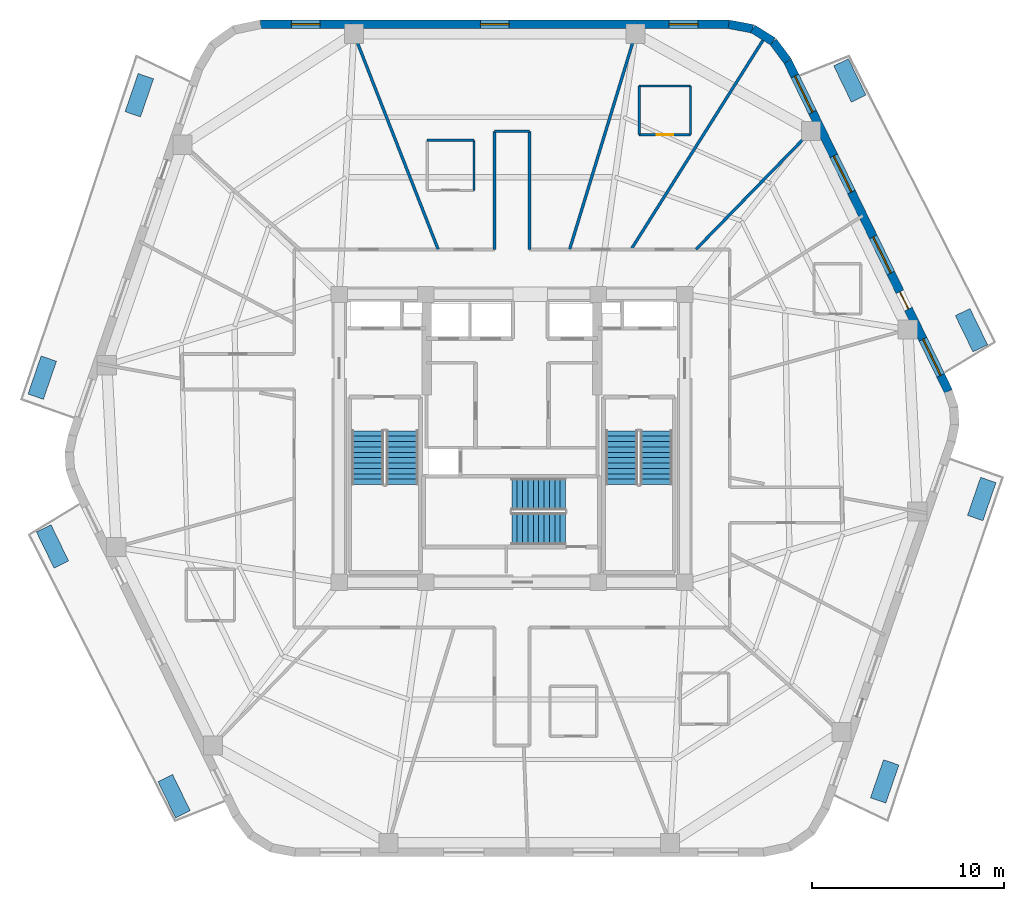
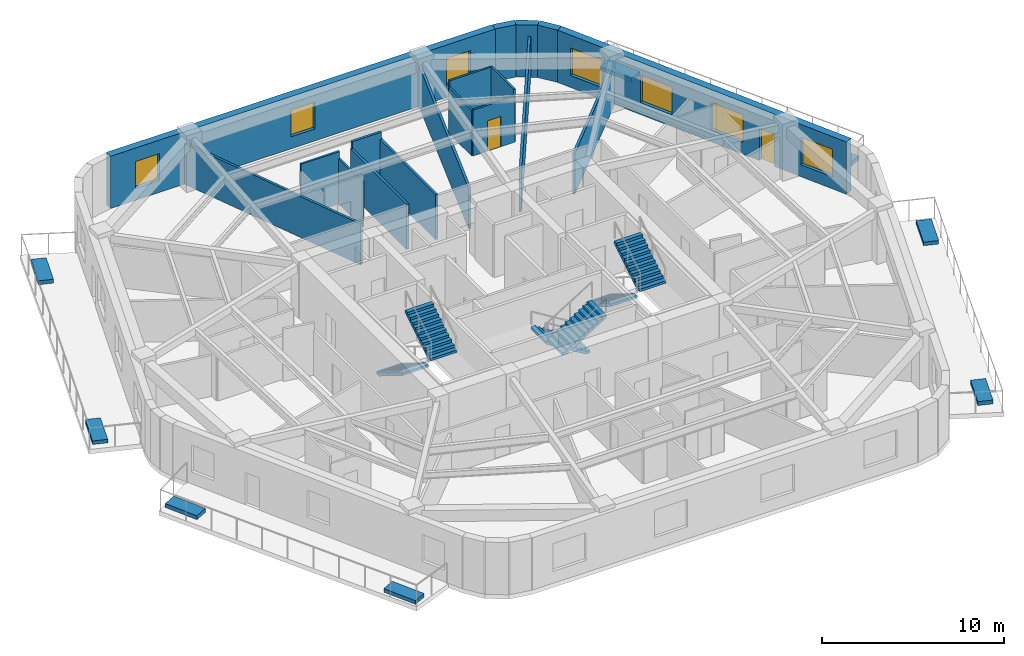
# One storey, part 6 of 9: 18 walls, 8 discrete accessories, 7 windows, 6 stair flights, 2 doors, 9 openings, 3 elements without a shape of their own.
"""IFC4 building model written with IfcOpenShell, lengths in metres."""

from ifc_helpers import new_model, si_unit, direction, frame, frame_2d, origin, origin_2d, place, context, subcontext, project, spatial, polyline, rectangle, outline, extrude, material, layer, layer_set, type_object, element, fill, aggregate, save


model = new_model("IFC4")

# Units and contexts
model_context = context("Model", 3, precision=1e-05, world=origin(), true_north=direction((0.0, 1.0)))
body_context = subcontext(model_context, "Body", "Model", "MODEL_VIEW")
ifc_project = project(units=[si_unit("LENGTHUNIT", "METRE"), si_unit("AREAUNIT", "SQUARE_METRE"), si_unit("VOLUMEUNIT", "CUBIC_METRE"), si_unit("PLANEANGLEUNIT", "RADIAN"), si_unit("MASSUNIT", "GRAM", prefix="KILO")], contexts=[model_context])

# Site, building, storey
site_placement = place(None, origin())
site = spatial("IfcSite", under=ifc_project, at=site_placement, CompositionType="ELEMENT")
building_placement = place(site_placement, origin())
building = spatial("IfcBuilding", under=site, at=building_placement, Name="Kilnhurst Terrace Hotel", CompositionType="ELEMENT")
storey_placement = place(building_placement, frame((0.0, 0.0, 236.89990234375)))
storey = spatial("IfcBuildingStorey", under=building, at=storey_placement, Name="L59", CompositionType="ELEMENT", Elevation=236.89990234375)

# Walls
ifc_material_1 = material(Name="Precast concrete C40/50", Category="concrete")
ifc_layer_1 = layer(ifc_material_1, 0.449951171875, Name="Precast concrete C40/50")
ifc_layer_set_1 = layer_set([ifc_layer_1], Name="Precast concrete C40/50")
wall_type_1 = type_object("IfcWallType", Name="WL-BRK-450", PredefinedType="SOLIDWALL", material=ifc_layer_set_1)
wall_1_placement = place(storey_placement, frame((14.3623046875, 19.658447265625, 0.0), z_axis=(0.0, 0.0, 1.0), x_axis=(-0.596642462792, 0.80250717853, 0.0)))
element("IfcWall", 1, at=wall_1_placement, inside=storey, type_object=wall_type_1, Name="L59 Rounded Corner Brick Wall C4.1", PredefinedType="SOLIDWALL", context=body_context, shape_type="SweptSolid", body=[
    extrude(rectangle(XDim=1.27001953125, YDim=0.449951171875, at=frame_2d((0.635009765625, 0.0))), origin(), (0.0, 0.0, 1.0), 3.5),
])
wall_2_placement = place(storey_placement, frame((13.6044921875, 20.677734375, 0.0), z_axis=(0.0, 0.0, 1.0), x_axis=(-0.847910404124, 0.53013955387, 0.0)))
element("IfcWall", 2, at=wall_2_placement, inside=storey, type_object=wall_type_1, Name="L59 Rounded Corner Brick Wall C4.2", PredefinedType="SOLIDWALL", context=body_context, shape_type="SweptSolid", body=[
    extrude(rectangle(XDim=1.24853515625, YDim=0.449951171875, at=frame_2d((0.624267578125, 0.0))), origin(), (0.0, 0.0, 1.0), 3.5),
])
wall_3_placement = place(storey_placement, frame((12.5458984375, 21.339599609375, 0.0), z_axis=(0.0, 0.0, 1.0), x_axis=(-0.982686750835, 0.18527479519, 0.0)))
element("IfcWall", 3, at=wall_3_placement, inside=storey, type_object=wall_type_1, Name="L59 Rounded Corner Brick Wall C4.3", PredefinedType="SOLIDWALL", context=body_context, shape_type="SweptSolid", body=[
    extrude(rectangle(XDim=1.270263671875, YDim=0.449951171875, at=frame_2d((0.63525390625, 0.0))), origin(), (0.0, 0.0, 1.0), 3.5),
])

# Wall, openings, door, windows
wall_4_placement = place(storey_placement, frame((22.73974609375, 2.4521484375, 0.0), z_axis=(0.0, 0.0, 1.0), x_axis=(-0.437753424814, 0.899095066755, 0.0)))
wall_4 = element("IfcWall", 4, at=wall_4_placement, inside=storey, type_object=wall_type_1, Name="L59 Exterior Brick Facade Wall F3", PredefinedType="SOLIDWALL", context=body_context, shape_type="SweptSolid", body=[
    extrude(rectangle(XDim=19.137451171875, YDim=0.449951171875, at=frame_2d((9.56884765625, 0.0))), origin(), (0.0, 0.0, 1.0), 3.5),
])
opening_1_placement = place(wall_4_placement, frame((4.762939453125, 0.0, 0.0)))
opening_1 = element("IfcOpeningElement", 5, at=opening_1_placement, cuts=wall_4, Name="Opening BD-1000", PredefinedType="OPENING", context=body_context, shape_type="SweptSolid", body=[
    extrude(rectangle(XDim=1.0, YDim=2.14990234375, at=frame_2d((0.5, 1.074951171875))), frame((0.0, 0.23486328125, 0.0), z_axis=(0.0, -1.0, 0.0), x_axis=(1.0, 0.0, 0.0)), (0.0, 0.0, 1.0), 0.469970703125),
])
opening_2_placement = place(wall_4_placement, frame((6.85107421875, 0.0, 0.800048828125)))
opening_2 = element("IfcOpeningElement", 6, at=opening_2_placement, cuts=wall_4, Name="Opening W-04", PredefinedType="OPENING", context=body_context, shape_type="SweptSolid", body=[
    extrude(rectangle(XDim=2.10009765625, YDim=1.85009765625, at=frame_2d((1.050048828125, 0.925048828125))), frame((0.0, 0.23486328125, 0.0), z_axis=(0.0, -1.0, 0.0), x_axis=(1.0, 0.0, 0.0)), (0.0, 0.0, 1.0), 0.469970703125),
])
opening_3_placement = place(wall_4_placement, frame((11.544921875, 0.0, 0.800048828125)))
opening_3 = element("IfcOpeningElement", 7, at=opening_3_placement, cuts=wall_4, Name="Opening W-04", PredefinedType="OPENING", context=body_context, shape_type="SweptSolid", body=[
    extrude(rectangle(XDim=2.10009765625, YDim=1.85009765625, at=frame_2d((1.050048828125, 0.925048828125))), frame((0.0, 0.23486328125, 0.0), z_axis=(0.0, -1.0, 0.0), x_axis=(1.0, 0.0, 0.0)), (0.0, 0.0, 1.0), 0.469970703125),
])
opening_4_placement = place(wall_4_placement, frame((16.173095703125, 0.0, 0.800048828125)))
opening_4 = element("IfcOpeningElement", 8, at=opening_4_placement, cuts=wall_4, Name="Opening W-04", PredefinedType="OPENING", context=body_context, shape_type="SweptSolid", body=[
    extrude(rectangle(XDim=2.10009765625, YDim=1.85009765625, at=frame_2d((1.050048828125, 0.925048828125))), frame((0.0, 0.23486328125, 0.0), z_axis=(0.0, -1.0, 0.0), x_axis=(1.0, 0.0, 0.0)), (0.0, 0.0, 1.0), 0.469970703125),
])
opening_5_placement = place(wall_4_placement, frame((0.916015625, 0.0, 0.800048828125)))
opening_5 = element("IfcOpeningElement", 9, at=opening_5_placement, cuts=wall_4, Name="Opening W-04", PredefinedType="OPENING", context=body_context, shape_type="SweptSolid", body=[
    extrude(rectangle(XDim=2.10009765625, YDim=1.85009765625, at=frame_2d((1.050048828125, 0.925048828125))), frame((0.0, 0.23486328125, 0.0), z_axis=(0.0, -1.0, 0.0), x_axis=(1.0, 0.0, 0.0)), (0.0, 0.0, 1.0), 0.469970703125),
])
ifc_material_2 = material(Name="Thermally Broken Bronze Aluminium Alloy 6063-T6 and Laminated Glass", Category="aluminium")
door_type_1 = type_object("IfcDoorType", Name="DR-EXT-BAL-1000", OperationType="NOTDEFINED", PredefinedType="DOOR", material=ifc_material_2)
door_1_placement = place(opening_1_placement, origin())
door_1 = element("IfcDoor", 10, at=door_1_placement, inside=storey, type_object=door_type_1, Name="L59 Planted Balcony Door BAL-L1B", OperationType="SINGLE_SWING_LEFT", OverallHeight=2.14990234375, OverallWidth=1.0, PredefinedType="DOOR", context=body_context, shape_type="SweptSolid", body=[
    extrude(rectangle(XDim=1.0, YDim=2.14990234375, at=frame_2d((0.5, 1.074951171875))), frame((0.0, 0.02490234375, 0.0), z_axis=(0.0, -1.0, 0.0), x_axis=(1.0, 0.0, 0.0)), (0.0, 0.0, 1.0), 0.050048828125),
])
fill(opening_1, door_1)
ifc_material_3 = material(Name="Thermally Broken Bronze Aluminium Alloy 6063-T6 and Low-E Glass", Category="aluminium")
window_type_1 = type_object("IfcWindowType", Name="WIN-2100X1850", PartitioningType="SINGLE_PANEL", PredefinedType="WINDOW", material=ifc_material_3)
window_1_placement = place(opening_2_placement, origin())
window_1 = element("IfcWindow", 11, at=window_1_placement, inside=storey, type_object=window_type_1, Name="L59 Deep-Set Masonry Window F3.1", OverallHeight=1.85009765625, OverallWidth=2.10009765625, PartitioningType="SINGLE_PANEL", PredefinedType="WINDOW", context=body_context, shape_type="SweptSolid", body=[
    extrude(rectangle(XDim=2.10009765625, YDim=1.85009765625, at=frame_2d((1.050048828125, 0.925048828125))), frame((0.0, 0.030029296875, 0.0), z_axis=(0.0, -1.0, 0.0), x_axis=(1.0, 0.0, 0.0)), (0.0, 0.0, 1.0), 0.06005859375),
])
fill(opening_2, window_1)
window_2_placement = place(opening_3_placement, origin())
window_2 = element("IfcWindow", 12, at=window_2_placement, inside=storey, type_object=window_type_1, Name="L59 Deep-Set Masonry Window F3.2", OverallHeight=1.85009765625, OverallWidth=2.10009765625, PartitioningType="SINGLE_PANEL", PredefinedType="WINDOW", context=body_context, shape_type="SweptSolid", body=[
    extrude(rectangle(XDim=2.10009765625, YDim=1.85009765625, at=frame_2d((1.050048828125, 0.925048828125))), frame((0.0, 0.030029296875, 0.0), z_axis=(0.0, -1.0, 0.0), x_axis=(1.0, 0.0, 0.0)), (0.0, 0.0, 1.0), 0.06005859375),
])
fill(opening_3, window_2)
window_3_placement = place(opening_4_placement, origin())
window_3 = element("IfcWindow", 13, at=window_3_placement, inside=storey, type_object=window_type_1, Name="L59 Deep-Set Masonry Window F3.3", OverallHeight=1.85009765625, OverallWidth=2.10009765625, PartitioningType="SINGLE_PANEL", PredefinedType="WINDOW", context=body_context, shape_type="SweptSolid", body=[
    extrude(rectangle(XDim=2.10009765625, YDim=1.85009765625, at=frame_2d((1.050048828125, 0.925048828125))), frame((0.0, 0.030029296875, 0.0), z_axis=(0.0, -1.0, 0.0), x_axis=(1.0, 0.0, 0.0)), (0.0, 0.0, 1.0), 0.06005859375),
])
fill(opening_4, window_3)
window_4_placement = place(opening_5_placement, origin())
window_4 = element("IfcWindow", 14, at=window_4_placement, inside=storey, type_object=window_type_1, Name="L59 Deep-Set Masonry Window F3.4", OverallHeight=1.85009765625, OverallWidth=2.10009765625, PartitioningType="SINGLE_PANEL", PredefinedType="WINDOW", context=body_context, shape_type="SweptSolid", body=[
    extrude(rectangle(XDim=2.10009765625, YDim=1.85009765625, at=frame_2d((1.050048828125, 0.925048828125))), frame((0.0, 0.030029296875, 0.0), z_axis=(0.0, -1.0, 0.0), x_axis=(1.0, 0.0, 0.0)), (0.0, 0.0, 1.0), 0.06005859375),
])
fill(opening_5, window_4)

# Wall, openings, windows
wall_5_placement = place(storey_placement, frame((11.297607421875, 21.574951171875, 0.0), z_axis=(0.0, 0.0, 1.0), x_axis=(-1.0, 0.0, 0.0)))
wall_5 = element("IfcWall", 15, at=wall_5_placement, inside=storey, type_object=wall_type_1, Name="L59 Exterior Brick Facade Wall F4", PredefinedType="SOLIDWALL", context=body_context, shape_type="SweptSolid", body=[
    extrude(rectangle(XDim=24.399169921875, YDim=0.449951171875, at=frame_2d((12.19970703125, 0.0))), origin(), (0.0, 0.0, 1.0), 3.5),
])
opening_6_placement = place(wall_5_placement, frame((1.60400390625, 0.0, 0.800048828125)))
opening_6 = element("IfcOpeningElement", 16, at=opening_6_placement, cuts=wall_5, Name="Opening W-02", PredefinedType="OPENING", context=body_context, shape_type="SweptSolid", body=[
    extrude(rectangle(XDim=1.5, YDim=1.800048828125, at=frame_2d((0.75, 0.89990234375))), frame((0.0, 0.23486328125, 0.0), z_axis=(0.0, -1.0, 0.0), x_axis=(1.0, 0.0, 0.0)), (0.0, 0.0, 1.0), 0.469970703125),
])
opening_7_placement = place(wall_5_placement, frame((11.450927734375, 0.0, 0.800048828125)))
opening_7 = element("IfcOpeningElement", 17, at=opening_7_placement, cuts=wall_5, Name="Opening W-02", PredefinedType="OPENING", context=body_context, shape_type="SweptSolid", body=[
    extrude(rectangle(XDim=1.5, YDim=1.800048828125, at=frame_2d((0.75, 0.89990234375))), frame((0.0, 0.23486328125, 0.0), z_axis=(0.0, -1.0, 0.0), x_axis=(1.0, 0.0, 0.0)), (0.0, 0.0, 1.0), 0.469970703125),
])
opening_8_placement = place(wall_5_placement, frame((21.2958984375, 0.0, 0.800048828125)))
opening_8 = element("IfcOpeningElement", 18, at=opening_8_placement, cuts=wall_5, Name="Opening W-02", PredefinedType="OPENING", context=body_context, shape_type="SweptSolid", body=[
    extrude(rectangle(XDim=1.5, YDim=1.800048828125, at=frame_2d((0.75, 0.89990234375))), frame((0.0, 0.23486328125, 0.0), z_axis=(0.0, -1.0, 0.0), x_axis=(1.0, 0.0, 0.0)), (0.0, 0.0, 1.0), 0.469970703125),
])
window_type_2 = type_object("IfcWindowType", Name="WIN-1500X1800", PartitioningType="SINGLE_PANEL", PredefinedType="WINDOW", material=ifc_material_3)
window_5_placement = place(opening_6_placement, origin())
window_5 = element("IfcWindow", 19, at=window_5_placement, inside=storey, type_object=window_type_2, Name="L59 Deep-Set Masonry Window F4.1", OverallHeight=1.800048828125, OverallWidth=1.5, PartitioningType="SINGLE_PANEL", PredefinedType="WINDOW", context=body_context, shape_type="SweptSolid", body=[
    extrude(rectangle(XDim=1.5, YDim=1.800048828125, at=frame_2d((0.75, 0.89990234375))), frame((0.0, 0.030029296875, 0.0), z_axis=(0.0, -1.0, 0.0), x_axis=(1.0, 0.0, 0.0)), (0.0, 0.0, 1.0), 0.06005859375),
])
fill(opening_6, window_5)
window_6_placement = place(opening_7_placement, origin())
window_6 = element("IfcWindow", 20, at=window_6_placement, inside=storey, type_object=window_type_2, Name="L59 Deep-Set Masonry Window F4.2", OverallHeight=1.800048828125, OverallWidth=1.5, PartitioningType="SINGLE_PANEL", PredefinedType="WINDOW", context=body_context, shape_type="SweptSolid", body=[
    extrude(rectangle(XDim=1.5, YDim=1.800048828125, at=frame_2d((0.75, 0.89990234375))), frame((0.0, 0.030029296875, 0.0), z_axis=(0.0, -1.0, 0.0), x_axis=(1.0, 0.0, 0.0)), (0.0, 0.0, 1.0), 0.06005859375),
])
fill(opening_7, window_6)
window_7_placement = place(opening_8_placement, origin())
window_7 = element("IfcWindow", 21, at=window_7_placement, inside=storey, type_object=window_type_2, Name="L59 Deep-Set Masonry Window F4.3", OverallHeight=1.800048828125, OverallWidth=1.5, PartitioningType="SINGLE_PANEL", PredefinedType="WINDOW", context=body_context, shape_type="SweptSolid", body=[
    extrude(rectangle(XDim=1.5, YDim=1.800048828125, at=frame_2d((0.75, 0.89990234375))), frame((0.0, 0.030029296875, 0.0), z_axis=(0.0, -1.0, 0.0), x_axis=(1.0, 0.0, 0.0)), (0.0, 0.0, 1.0), 0.06005859375),
])
fill(opening_8, window_7)

# Walls
ifc_material_4 = material(Name="Acoustic Double-Gypsum Corridor Partition Assembly")
ifc_layer_2 = layer(ifc_material_4, 0.14990234375, Name="Acoustic Double-Gypsum Corridor Partition Assembly")
ifc_layer_set_2 = layer_set([ifc_layer_2], Name="Acoustic Double-Gypsum Corridor Partition Assembly")
wall_type_2 = type_object("IfcWallType", Name="WL-COR-150", PredefinedType="PARTITIONING", material=ifc_layer_set_2)
wall_6_placement = place(storey_placement, frame((-0.919921875, 9.85009765625, 0.0), z_axis=(0.0, 0.0, 1.0), x_axis=(0.0, 1.0, 0.0)))
element("IfcWall", 22, at=wall_6_placement, inside=storey, type_object=wall_type_2, Name="L59 Interior Wall WL-L59-COR-07", PredefinedType="PARTITIONING", context=body_context, shape_type="SweptSolid", body=[
    extrude(rectangle(XDim=6.14990234375, YDim=0.14990234375, at=frame_2d((3.074951171875, 0.0))), origin(), (0.0, 0.0, 1.0), 3.026611328125),
])
wall_7_placement = place(storey_placement, frame((-0.919921875, 16.0, 0.0), z_axis=(0.0, 0.0, 1.0), x_axis=(1.0, 0.0, 0.0)))
element("IfcWall", 23, at=wall_7_placement, inside=storey, type_object=wall_type_2, Name="L59 Interior Wall WL-L59-COR-08", PredefinedType="PARTITIONING", context=body_context, shape_type="SweptSolid", body=[
    extrude(rectangle(XDim=1.83984375, YDim=0.14990234375, at=frame_2d((0.919921875, 0.0))), origin(), (0.0, 0.0, 1.0), 3.5),
])
wall_8_placement = place(storey_placement, frame((0.919921875, 16.0, 0.0), z_axis=(0.0, 0.0, 1.0), x_axis=(0.0, -1.0, 0.0)))
element("IfcWall", 24, at=wall_8_placement, inside=storey, type_object=wall_type_2, Name="L59 Interior Wall WL-L59-COR-09", PredefinedType="PARTITIONING", context=body_context, shape_type="SweptSolid", body=[
    extrude(rectangle(XDim=6.14990234375, YDim=0.14990234375, at=frame_2d((3.074951171875, 0.0))), origin(), (0.0, 0.0, 1.0), 3.026611328125),
])
ifc_material_5 = material(Name="STC-58 Acoustic Twin-Frame Guestroom Demising Partition")
ifc_layer_3 = layer(ifc_material_5, 0.14990234375, Name="STC-58 Acoustic Twin-Frame Guestroom Demising Partition")
ifc_layer_set_3 = layer_set([ifc_layer_3], Name="STC-58 Acoustic Twin-Frame Guestroom Demising Partition")
wall_type_3 = type_object("IfcWallType", Name="WL-DEM-150", PredefinedType="PARTITIONING", material=ifc_layer_set_3)
wall_9_placement = place(storey_placement, frame((9.587890625, 9.85009765625, 0.0), z_axis=(0.0, 0.0, 1.0), x_axis=(0.697519469595, 0.716565830567, 0.0)))
element("IfcWall", 25, at=wall_9_placement, inside=storey, type_object=wall_type_3, Name="L59 Interior Wall WL-L59-DEM-COL02-03-1", PredefinedType="PARTITIONING", context=body_context, shape_type="SweptSolid", body=[
    extrude(rectangle(XDim=9.12646484375, YDim=0.14990234375, at=frame_2d((4.563232421875, 0.0))), origin(), (0.0, 0.0, 1.0), 2.739990234375),
])
wall_10_placement = place(storey_placement, frame((6.21044921875, 9.85009765625, 0.0), z_axis=(0.0, 0.0, 1.0), x_axis=(0.533335553786, 0.84590376939, 0.0)))
element("IfcWall", 26, at=wall_10_placement, inside=storey, type_object=wall_type_3, Name="L59 Interior Wall WL-L59-DEM-MID02-04-1", PredefinedType="PARTITIONING", context=body_context, shape_type="SweptSolid", body=[
    extrude(rectangle(XDim=12.94091796875, YDim=0.14990234375, at=frame_2d((6.470458984375, 0.0))), origin(), (0.0, 0.0, 1.0), 2.739990234375),
])
wall_11_placement = place(storey_placement, frame((3.00439453125, 9.85009765625, 0.0), z_axis=(0.0, 0.0, 1.0), x_axis=(0.291775760688, 0.956486751333, 0.0)))
element("IfcWall", 27, at=wall_11_placement, inside=storey, type_object=wall_type_3, Name="L59 Interior Wall WL-L59-DEM-COL03-05-1", PredefinedType="PARTITIONING", context=body_context, shape_type="SweptSolid", body=[
    extrude(rectangle(XDim=12.25830078125, YDim=0.14990234375, at=frame_2d((6.129150390625, 0.0))), origin(), (0.0, 0.0, 1.0), 2.739990234375),
])
wall_12_placement = place(storey_placement, frame((-3.848388671875, 9.85009765625, 0.0), z_axis=(0.0, 0.0, 1.0), x_axis=(-0.363921778212, 0.931429513889, 0.0)))
element("IfcWall", 28, at=wall_12_placement, inside=storey, type_object=wall_type_3, Name="L59 Interior Wall WL-L59-DEM-COL04-06-1", PredefinedType="PARTITIONING", context=body_context, shape_type="SweptSolid", body=[
    extrude(rectangle(XDim=12.588134765625, YDim=0.14990234375, at=frame_2d((6.2939453125, 0.0))), origin(), (0.0, 0.0, 1.0), 2.739990234375),
])

# Wall, opening, door
ifc_material_6 = material(Name="120 mm Moisture-Resistant Tile-Backed Bathroom Partition")
ifc_layer_4 = layer(ifc_material_6, 0.1201171875, Name="120 mm Moisture-Resistant Tile-Backed Bathroom Partition")
ifc_layer_set_4 = layer_set([ifc_layer_4], Name="120 mm Moisture-Resistant Tile-Backed Bathroom Partition")
wall_type_4 = type_object("IfcWallType", Name="WL-PART-120", PredefinedType="PARTITIONING", material=ifc_layer_set_4)
wall_13_placement = place(storey_placement, frame((6.626953125, 15.824951171875, 0.0), z_axis=(0.0, 0.0, 1.0), x_axis=(1.0, 0.0, 0.0)))
wall_13 = element("IfcWall", 29, at=wall_13_placement, inside=storey, type_object=wall_type_4, Name="L59 Interior Wall WL-L59-BTH-04-1", PredefinedType="PARTITIONING", context=body_context, shape_type="SweptSolid", body=[
    extrude(rectangle(XDim=2.679931640625, YDim=0.1201171875, at=frame_2d((1.33984375, 0.0))), origin(), (0.0, 0.0, 1.0), 3.072509765625),
])
opening_9_placement = place(wall_13_placement, frame((0.9150390625, 0.0, 0.0)))
opening_9 = element("IfcOpeningElement", 30, at=opening_9_placement, cuts=wall_13, Name="Opening D-08A", PredefinedType="OPENING", context=body_context, shape_type="SweptSolid", body=[
    extrude(rectangle(XDim=0.85009765625, YDim=2.030029296875, at=frame_2d((0.425048828125, 1.01513671875))), frame((0.0, 0.070068359375, 0.0), z_axis=(0.0, -1.0, 0.0), x_axis=(1.0, 0.0, 0.0)), (0.0, 0.0, 1.0), 0.14013671875),
])
ifc_material_7 = material(Name="Moisture-Resistant Lacquered En-suite Bathroom Door")
door_type_2 = type_object("IfcDoorType", Name="DR-INT-850", OperationType="NOTDEFINED", PredefinedType="DOOR", material=ifc_material_7)
door_2_placement = place(opening_9_placement, origin())
door_2 = element("IfcDoor", 31, at=door_2_placement, inside=storey, type_object=door_type_2, Name="L59 En-suite Bathroom Door 4", OperationType="SINGLE_SWING_LEFT", OverallHeight=2.030029296875, OverallWidth=0.85009765625, PredefinedType="DOOR", context=body_context, shape_type="SweptSolid", body=[
    extrude(rectangle(XDim=0.85009765625, YDim=2.030029296875, at=frame_2d((0.425048828125, 1.01513671875))), frame((0.0, 0.02490234375, 0.0), z_axis=(0.0, -1.0, 0.0), x_axis=(1.0, 0.0, 0.0)), (0.0, 0.0, 1.0), 0.050048828125),
])
fill(opening_9, door_2)

# Walls
wall_14_placement = place(storey_placement, frame((9.306884765625, 15.824951171875, 0.0), z_axis=(0.0, 0.0, 1.0), x_axis=(0.0, 1.0, 0.0)))
element("IfcWall", 32, at=wall_14_placement, inside=storey, type_object=wall_type_4, Name="L59 Interior Wall WL-L59-BTH-04-2", PredefinedType="PARTITIONING", context=body_context, shape_type="SweptSolid", body=[
    extrude(rectangle(XDim=2.5400390625, YDim=0.1201171875, at=frame_2d((1.27001953125, 0.0))), origin(), (0.0, 0.0, 1.0), 3.5),
])
wall_15_placement = place(storey_placement, frame((9.306884765625, 18.364990234375, 0.0), z_axis=(0.0, 0.0, 1.0), x_axis=(-1.0, 0.0, 0.0)))
element("IfcWall", 33, at=wall_15_placement, inside=storey, type_object=wall_type_4, Name="L59 Interior Wall WL-L59-BTH-04-3", PredefinedType="PARTITIONING", context=body_context, shape_type="SweptSolid", body=[
    extrude(rectangle(XDim=2.679931640625, YDim=0.1201171875, at=frame_2d((1.33984375, 0.0))), origin(), (0.0, 0.0, 1.0), 3.5),
])
wall_16_placement = place(storey_placement, frame((6.626953125, 18.364990234375, 0.0), z_axis=(0.0, 0.0, 1.0), x_axis=(0.0, -1.0, 0.0)))
element("IfcWall", 34, at=wall_16_placement, inside=storey, type_object=wall_type_4, Name="L59 Interior Wall WL-L59-BTH-04-4", PredefinedType="PARTITIONING", context=body_context, shape_type="SweptSolid", body=[
    extrude(rectangle(XDim=2.5400390625, YDim=0.1201171875, at=frame_2d((1.27001953125, 0.0))), origin(), (0.0, 0.0, 1.0), 3.072509765625),
])
wall_17_placement = place(storey_placement, frame((-1.97802734375, 12.919921875, 0.0), z_axis=(0.0, 0.0, 1.0), x_axis=(0.0, 1.0, 0.0)))
element("IfcWall", 35, at=wall_17_placement, inside=storey, type_object=wall_type_4, Name="L59 Interior Wall WL-L59-BTH-05-2", PredefinedType="PARTITIONING", context=body_context, shape_type="SweptSolid", body=[
    extrude(rectangle(XDim=2.610107421875, YDim=0.1201171875, at=frame_2d((1.30517578125, 0.0))), origin(), (0.0, 0.0, 1.0), 3.026611328125),
])
wall_18_placement = place(storey_placement, frame((-1.97802734375, 15.530029296875, 0.0), z_axis=(0.0, 0.0, 1.0), x_axis=(-1.0, 0.0, 0.0)))
element("IfcWall", 36, at=wall_18_placement, inside=storey, type_object=wall_type_4, Name="L59 Interior Wall WL-L59-BTH-05-3", PredefinedType="PARTITIONING", context=body_context, shape_type="SweptSolid", body=[
    extrude(rectangle(XDim=2.43994140625, YDim=0.1201171875, at=frame_2d((1.219970703125, 0.0))), origin(), (0.0, 0.0, 1.0), 3.5),
])

# Stair, stair flights
ifc_material_8 = material(Name="Concrete C50/60", Category="concrete")
stair_type = type_object("IfcStairType", Name="STR-CORE-1660", PredefinedType="HALF_TURN_STAIR", material=ifc_material_8)
stair_1_placement = place(storey_placement, origin())
stair_1 = element("IfcStair", 37, at=stair_1_placement, inside=storey, type_object=stair_type, Name="L59 ST-1", PredefinedType="HALF_TURN_STAIR")
stair_flight_type = type_object("IfcStairFlightType", Name="FLT-RC-1660", PredefinedType="STRAIGHT", material=ifc_material_8)
stair_flight_1_placement = place(storey_placement, frame((-7.52001953125, 0.389892578125, 0.0), z_axis=(0.0, 0.0, 1.0), x_axis=(0.0, -1.0, 0.0)))
stair_flight_1 = element("IfcStairFlight", 38, at=stair_flight_1_placement, type_object=stair_flight_type, Name="ST-1 flight 1", NumberOfRisers=11, NumberOfTreads=10, PredefinedType="STRAIGHT", RiserHeight=0.172727273, TreadLength=0.28, context=body_context, shape_type="SweptSolid", body=[
    extrude(outline(polyline([(0.0, 0.0), (0.0, 0.172607421875), (0.280029296875, 0.172607421875), (0.280029296875, 0.345458984375), (0.56005859375, 0.345458984375), (0.56005859375, 0.51806640625), (0.840087890625, 0.51806640625), (0.840087890625, 0.69091796875), (1.1201171875, 0.69091796875), (1.1201171875, 0.863525390625), (1.39990234375, 0.863525390625), (1.39990234375, 1.036376953125), (1.679931640625, 1.036376953125), (1.679931640625, 1.208984375), (1.9599609375, 1.208984375), (1.9599609375, 1.3818359375), (2.239990234375, 1.3818359375), (2.239990234375, 1.554443359375), (2.52001953125, 1.554443359375), (2.52001953125, 1.727294921875), (2.800048828125, 1.727294921875), (2.800048828125, 1.89990234375), (2.800048828125, 1.551025390625), (0.285400390625, 0.0), (0.0, 0.0)])), frame((0.0, 0.830078125, 0.0), z_axis=(0.0, -1.0, 0.0), x_axis=(1.0, 0.0, 0.0)), (0.0, 0.0, 1.0), 1.659912109375),
])
stair_flight_2_placement = place(storey_placement, frame((-5.7099609375, -2.409912109375, 1.900146484375), z_axis=(0.0, 0.0, 1.0), x_axis=(0.0, 1.0, 0.0)))
stair_flight_2 = element("IfcStairFlight", 39, at=stair_flight_2_placement, type_object=stair_flight_type, Name="ST-1 flight 2", NumberOfRisers=11, NumberOfTreads=10, PredefinedType="STRAIGHT", RiserHeight=0.172727273, TreadLength=0.28, context=body_context, shape_type="SweptSolid", body=[
    extrude(outline(polyline([(0.0, 0.0), (0.0, 0.172607421875), (0.280029296875, 0.172607421875), (0.280029296875, 0.345458984375), (0.56005859375, 0.345458984375), (0.56005859375, 0.51806640625), (0.840087890625, 0.51806640625), (0.840087890625, 0.69091796875), (1.1201171875, 0.69091796875), (1.1201171875, 0.863525390625), (1.39990234375, 0.863525390625), (1.39990234375, 1.036376953125), (1.679931640625, 1.036376953125), (1.679931640625, 1.208984375), (1.9599609375, 1.208984375), (1.9599609375, 1.3818359375), (2.239990234375, 1.3818359375), (2.239990234375, 1.554443359375), (2.52001953125, 1.554443359375), (2.52001953125, 1.727294921875), (2.800048828125, 1.727294921875), (2.800048828125, 1.89990234375), (2.800048828125, 1.551025390625), (0.285400390625, 0.0), (0.0, 0.0)])), frame((0.0, 0.830078125, 0.0), z_axis=(0.0, -1.0, 0.0), x_axis=(1.0, 0.0, 0.0)), (0.0, 0.0, 1.0), 1.659912109375),
])
aggregate(stair_1, [stair_flight_1, stair_flight_2])

stair_2_placement = place(storey_placement, origin())
stair_2 = element("IfcStair", 40, at=stair_2_placement, inside=storey, type_object=stair_type, Name="L59 ST-2", PredefinedType="HALF_TURN_STAIR")
stair_flight_3_placement = place(storey_placement, frame((5.7099609375, 0.389892578125, 0.0), z_axis=(0.0, 0.0, 1.0), x_axis=(0.0, -1.0, 0.0)))
stair_flight_3 = element("IfcStairFlight", 41, at=stair_flight_3_placement, type_object=stair_flight_type, Name="ST-2 flight 1", NumberOfRisers=11, NumberOfTreads=10, PredefinedType="STRAIGHT", RiserHeight=0.172727273, TreadLength=0.28, context=body_context, shape_type="SweptSolid", body=[
    extrude(outline(polyline([(0.0, 0.0), (0.0, 0.172607421875), (0.280029296875, 0.172607421875), (0.280029296875, 0.345458984375), (0.56005859375, 0.345458984375), (0.56005859375, 0.51806640625), (0.840087890625, 0.51806640625), (0.840087890625, 0.69091796875), (1.1201171875, 0.69091796875), (1.1201171875, 0.863525390625), (1.39990234375, 0.863525390625), (1.39990234375, 1.036376953125), (1.679931640625, 1.036376953125), (1.679931640625, 1.208984375), (1.9599609375, 1.208984375), (1.9599609375, 1.3818359375), (2.239990234375, 1.3818359375), (2.239990234375, 1.554443359375), (2.52001953125, 1.554443359375), (2.52001953125, 1.727294921875), (2.800048828125, 1.727294921875), (2.800048828125, 1.89990234375), (2.800048828125, 1.551025390625), (0.285400390625, 0.0), (0.0, 0.0)])), frame((0.0, 0.830078125, 0.0), z_axis=(0.0, -1.0, 0.0), x_axis=(1.0, 0.0, 0.0)), (0.0, 0.0, 1.0), 1.659912109375),
])
stair_flight_4_placement = place(storey_placement, frame((7.52001953125, -2.409912109375, 1.900146484375), z_axis=(0.0, 0.0, 1.0), x_axis=(0.0, 1.0, 0.0)))
stair_flight_4 = element("IfcStairFlight", 42, at=stair_flight_4_placement, type_object=stair_flight_type, Name="ST-2 flight 2", NumberOfRisers=11, NumberOfTreads=10, PredefinedType="STRAIGHT", RiserHeight=0.172727273, TreadLength=0.28, context=body_context, shape_type="SweptSolid", body=[
    extrude(outline(polyline([(0.0, 0.0), (0.0, 0.172607421875), (0.280029296875, 0.172607421875), (0.280029296875, 0.345458984375), (0.56005859375, 0.345458984375), (0.56005859375, 0.51806640625), (0.840087890625, 0.51806640625), (0.840087890625, 0.69091796875), (1.1201171875, 0.69091796875), (1.1201171875, 0.863525390625), (1.39990234375, 0.863525390625), (1.39990234375, 1.036376953125), (1.679931640625, 1.036376953125), (1.679931640625, 1.208984375), (1.9599609375, 1.208984375), (1.9599609375, 1.3818359375), (2.239990234375, 1.3818359375), (2.239990234375, 1.554443359375), (2.52001953125, 1.554443359375), (2.52001953125, 1.727294921875), (2.800048828125, 1.727294921875), (2.800048828125, 1.89990234375), (2.800048828125, 1.551025390625), (0.285400390625, 0.0), (0.0, 0.0)])), frame((0.0, 0.830078125, 0.0), z_axis=(0.0, -1.0, 0.0), x_axis=(1.0, 0.0, 0.0)), (0.0, 0.0, 1.0), 1.659912109375),
])
aggregate(stair_2, [stair_flight_3, stair_flight_4])

stair_3_placement = place(storey_placement, origin())
stair_3 = element("IfcStair", 43, at=stair_3_placement, inside=storey, type_object=stair_type, Name="L59 ST-3", PredefinedType="HALF_TURN_STAIR")
stair_flight_5_placement = place(storey_placement, frame((2.7900390625, -2.909912109375, 0.0), z_axis=(0.0, 0.0, 1.0), x_axis=(-1.0, 0.0, 0.0)))
stair_flight_5 = element("IfcStairFlight", 44, at=stair_flight_5_placement, type_object=stair_flight_type, Name="ST-3 flight 1", NumberOfRisers=11, NumberOfTreads=10, PredefinedType="STRAIGHT", RiserHeight=0.172727273, TreadLength=0.28, context=body_context, shape_type="SweptSolid", body=[
    extrude(outline(polyline([(0.0, 0.0), (0.0, 0.172607421875), (0.280029296875, 0.172607421875), (0.280029296875, 0.345458984375), (0.56005859375, 0.345458984375), (0.56005859375, 0.51806640625), (0.840087890625, 0.51806640625), (0.840087890625, 0.69091796875), (1.1201171875, 0.69091796875), (1.1201171875, 0.863525390625), (1.39990234375, 0.863525390625), (1.39990234375, 1.036376953125), (1.679931640625, 1.036376953125), (1.679931640625, 1.208984375), (1.9599609375, 1.208984375), (1.9599609375, 1.3818359375), (2.239990234375, 1.3818359375), (2.239990234375, 1.554443359375), (2.52001953125, 1.554443359375), (2.52001953125, 1.727294921875), (2.800048828125, 1.727294921875), (2.800048828125, 1.89990234375), (2.800048828125, 1.551025390625), (0.285400390625, 0.0), (0.0, 0.0)])), frame((0.0, 0.830078125, 0.0), z_axis=(0.0, -1.0, 0.0), x_axis=(1.0, 0.0, 0.0)), (0.0, 0.0, 1.0), 1.659912109375),
])
stair_flight_6_placement = place(storey_placement, frame((-0.010009765625, -4.719970703125, 1.900146484375), z_axis=(0.0, 0.0, 1.0), x_axis=(1.0, 0.0, 0.0)))
stair_flight_6 = element("IfcStairFlight", 45, at=stair_flight_6_placement, type_object=stair_flight_type, Name="ST-3 flight 2", NumberOfRisers=11, NumberOfTreads=10, PredefinedType="STRAIGHT", RiserHeight=0.172727273, TreadLength=0.28, context=body_context, shape_type="SweptSolid", body=[
    extrude(outline(polyline([(0.0, 0.0), (0.0, 0.172607421875), (0.280029296875, 0.172607421875), (0.280029296875, 0.345458984375), (0.56005859375, 0.345458984375), (0.56005859375, 0.51806640625), (0.840087890625, 0.51806640625), (0.840087890625, 0.69091796875), (1.1201171875, 0.69091796875), (1.1201171875, 0.863525390625), (1.39990234375, 0.863525390625), (1.39990234375, 1.036376953125), (1.679931640625, 1.036376953125), (1.679931640625, 1.208984375), (1.9599609375, 1.208984375), (1.9599609375, 1.3818359375), (2.239990234375, 1.3818359375), (2.239990234375, 1.554443359375), (2.52001953125, 1.554443359375), (2.52001953125, 1.727294921875), (2.800048828125, 1.727294921875), (2.800048828125, 1.89990234375), (2.800048828125, 1.551025390625), (0.285400390625, 0.0), (0.0, 0.0)])), frame((0.0, 0.830078125, 0.0), z_axis=(0.0, -1.0, 0.0), x_axis=(1.0, 0.0, 0.0)), (0.0, 0.0, 1.0), 1.659912109375),
])
aggregate(stair_3, [stair_flight_5, stair_flight_6])

# Discrete accessories
ifc_material_9 = material(Name="Precast Concrete C40/50 Shrub Planter", Category="concrete")
discrete_accessory_type_1 = type_object("IfcDiscreteAccessoryType", Name="PLN-SHRUB-240", PredefinedType="USERDEFINED", material=ifc_material_9)
for number, where, z_axis, x_axis, name in (
    (46, (24.47998046875, -3.16259765625, 0.0), (0.0, 0.0, 1.0), (0.325089542819, 0.94568323933, 0.0), "L59 Structural Tree Planter Box PLANTER BAL-L1A.2"),
    (47, (17.607177734375, 18.64794921875, 0.0), (0.0, 0.0, 1.0), (-0.437743563395, 0.899099868038, 0.0), "L59 Structural Tree Planter Box PLANTER BAL-L1B.2"),
    (48, (-24.47998046875, 3.16259765625, 0.0), (0.0, 0.0, 1.0), (-0.325089542819, -0.94568323933, 0.0), "L59 Structural Tree Planter Box PLANTER BAL-L2A.2"),
    (49, (-17.607177734375, -18.64794921875, 0.0), (0.0, 0.0, 1.0), (0.437743563395, -0.899099868038, 0.0), "L59 Structural Tree Planter Box PLANTER BAL-L2B.2"),
):
    element("IfcDiscreteAccessory", number, at=place(storey_placement, frame(where, z_axis=z_axis, x_axis=x_axis)), inside=storey, type_object=discrete_accessory_type_1, Name=name, ObjectType="PLANTER", PredefinedType="USERDEFINED", context=body_context, shape_type="SweptSolid", body=[
        extrude(rectangle(XDim=2.10009765625, YDim=0.85009765625, at=origin_2d()), origin(), (0.0, 0.0, 1.0), 0.239990234375),
    ])
ifc_material_10 = material(Name="Precast Concrete C40/50 Tree Planter", Category="concrete")
discrete_accessory_type_2 = type_object("IfcDiscreteAccessoryType", Name="PLN-TREE-260", PredefinedType="USERDEFINED", material=ifc_material_10)
for number, where, z_axis, x_axis, name in (
    (50, (19.4208984375, -17.87939453125, 0.0), (0.0, 0.0, 1.0), (0.325089542819, 0.94568323933, 0.0), "L59 Structural Tree Planter Box PLANTER BAL-L1A.1"),
    (51, (23.942626953125, 5.635009765625, 0.0), (0.0, 0.0, 1.0), (-0.437743563395, 0.899099868038, 0.0), "L59 Structural Tree Planter Box PLANTER BAL-L1B.1"),
    (52, (-19.4208984375, 17.87939453125, 0.0), (0.0, 0.0, 1.0), (-0.325089542819, -0.94568323933, 0.0), "L59 Structural Tree Planter Box PLANTER BAL-L2A.1"),
    (53, (-23.942626953125, -5.635009765625, 0.0), (0.0, 0.0, 1.0), (0.437743563395, -0.899099868038, 0.0), "L59 Structural Tree Planter Box PLANTER BAL-L2B.1"),
):
    element("IfcDiscreteAccessory", number, at=place(storey_placement, frame(where, z_axis=z_axis, x_axis=x_axis)), inside=storey, type_object=discrete_accessory_type_2, Name=name, ObjectType="PLANTER", PredefinedType="USERDEFINED", context=body_context, shape_type="SweptSolid", body=[
        extrude(rectangle(XDim=2.10009765625, YDim=0.85009765625, at=origin_2d()), origin(), (0.0, 0.0, 1.0), 0.260009765625),
    ])

save(model, "model.ifc")
